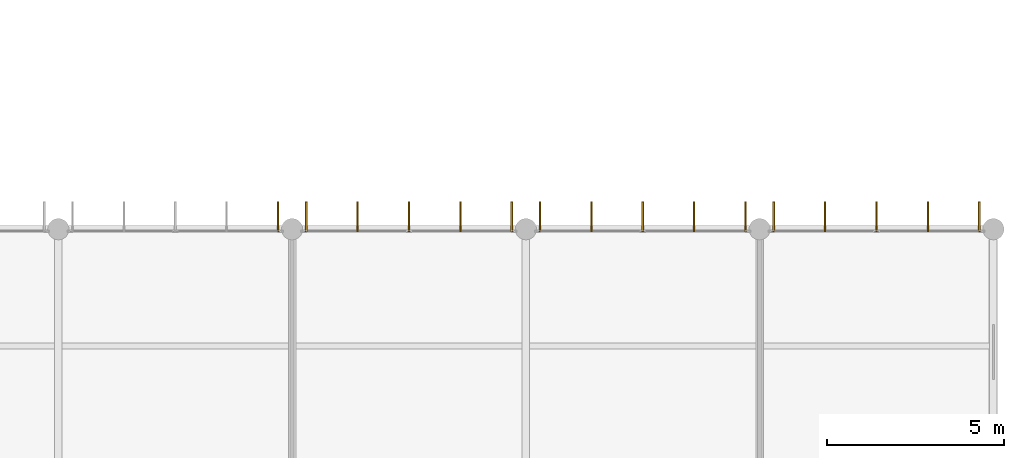
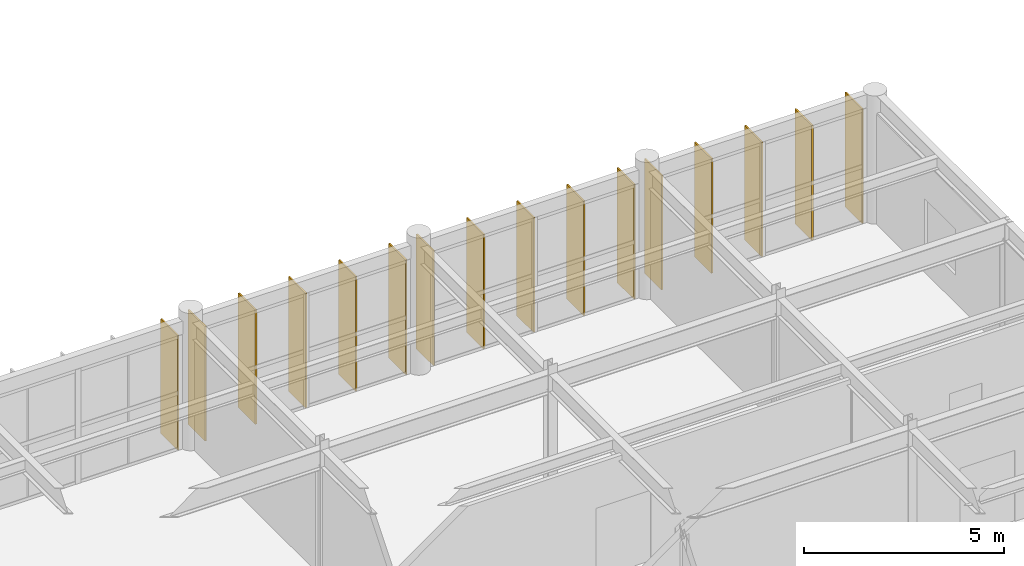
# One storey, part 66 of 66: 16 shading devices.
"""IFC4 building model written with IfcOpenShell, lengths in metres."""

from ifc_helpers import new_model, si_unit, direction, frame, origin, origin_2d, place, context, subcontext, project, spatial, rectangle, extrude, material, layer, layer_set, type_object, element, save


model = new_model("IFC4")

# Units and contexts
model_context = context("Model", 3, precision=1e-05, world=origin(), true_north=direction((0.0, 1.0)))
body_context = subcontext(model_context, "Body", "Model", "MODEL_VIEW")
ifc_project = project(units=[si_unit("LENGTHUNIT", "METRE"), si_unit("AREAUNIT", "SQUARE_METRE"), si_unit("VOLUMEUNIT", "CUBIC_METRE"), si_unit("PLANEANGLEUNIT", "RADIAN"), si_unit("MASSUNIT", "GRAM", prefix="KILO")], contexts=[model_context])

# Site, building, storey
site_placement = place(None, origin())
site = spatial("IfcSite", under=ifc_project, at=site_placement, CompositionType="ELEMENT")
building_placement = place(site_placement, origin())
building = spatial("IfcBuilding", under=site, at=building_placement, Name="Karori Crest Natural Sciences Institute", CompositionType="ELEMENT")
storey_placement = place(building_placement, frame((0.0, 0.0, 30.10009765625)))
storey = spatial("IfcBuildingStorey", under=building, at=storey_placement, Name="L07", CompositionType="ELEMENT", Elevation=30.10009765625)

# Shading devices
ifc_material = material(Name="Anodised architectural aluminium 6063-T6", Category="aluminium")
ifc_layer = layer(ifc_material, 0.044921875, Name="Anodised architectural aluminium 6063-T6")
ifc_layer_set = layer_set([ifc_layer], Name="Anodised architectural aluminium 6063-T6")
shading_device_type = type_object("IfcShadingDeviceType", Name="SDT-FIN", PredefinedType="USERDEFINED", material=ifc_layer_set)
for number, where, z_axis, x_axis, name in (
    (1, (136.201904296875, 20.949951171875, 0.0), (0.0, 0.0, 1.0), (0.0, 1.0, 0.0), "Vertical solar fin FN-1522"),
    (2, (136.998046875, 20.949951171875, 0.0), (0.0, 0.0, 1.0), (0.0, 1.0, 0.0), "Vertical solar fin FN-1523"),
    (3, (138.448974609375, 20.949951171875, 0.0), (0.0, 0.0, 1.0), (0.0, 1.0, 0.0), "Vertical solar fin FN-1524"),
    (4, (139.89990234375, 20.949951171875, 0.0), (0.0, 0.0, 1.0), (0.0, 1.0, 0.0), "Vertical solar fin FN-1525"),
    (5, (141.35107421875, 20.949951171875, 0.0), (0.0, 0.0, 1.0), (0.0, 1.0, 0.0), "Vertical solar fin FN-1526"),
    (6, (142.802001953125, 20.949951171875, 0.0), (0.0, 0.0, 1.0), (0.0, 1.0, 0.0), "Vertical solar fin FN-1527"),
    (7, (143.597900390625, 20.949951171875, 0.0), (0.0, 0.0, 1.0), (0.0, 1.0, 0.0), "Vertical solar fin FN-1528"),
    (8, (145.049072265625, 20.949951171875, 0.0), (0.0, 0.0, 1.0), (0.0, 1.0, 0.0), "Vertical solar fin FN-1529"),
    (9, (146.5, 20.949951171875, 0.0), (0.0, 0.0, 1.0), (0.0, 1.0, 0.0), "Vertical solar fin FN-1530"),
    (10, (147.950927734375, 20.949951171875, 0.0), (0.0, 0.0, 1.0), (0.0, 1.0, 0.0), "Vertical solar fin FN-1531"),
    (11, (149.402099609375, 20.949951171875, 0.0), (0.0, 0.0, 1.0), (0.0, 1.0, 0.0), "Vertical solar fin FN-1532"),
    (12, (150.197998046875, 20.949951171875, 0.0), (0.0, 0.0, 1.0), (0.0, 1.0, 0.0), "Vertical solar fin FN-1533"),
    (13, (151.64892578125, 20.949951171875, 0.0), (0.0, 0.0, 1.0), (0.0, 1.0, 0.0), "Vertical solar fin FN-1534"),
    (14, (153.10009765625, 20.949951171875, 0.0), (0.0, 0.0, 1.0), (0.0, 1.0, 0.0), "Vertical solar fin FN-1535"),
    (15, (154.551025390625, 20.949951171875, 0.0), (0.0, 0.0, 1.0), (0.0, 1.0, 0.0), "Vertical solar fin FN-1536"),
    (16, (156.001953125, 20.949951171875, 0.0), (0.0, 0.0, 1.0), (0.0, 1.0, 0.0), "Vertical solar fin FN-1537"),
):
    element("IfcShadingDevice", number, at=place(storey_placement, frame(where, z_axis=z_axis, x_axis=x_axis)), inside=storey, type_object=shading_device_type, Name=name, ObjectType="SOLAR_FIN", PredefinedType="USERDEFINED", context=body_context, shape_type="SweptSolid", body=[
        extrude(rectangle(XDim=0.85009765625, YDim=0.044921875, at=origin_2d()), origin(), (0.0, 0.0, 1.0), 3.5048828125),
    ])

save(model, "model.ifc")
